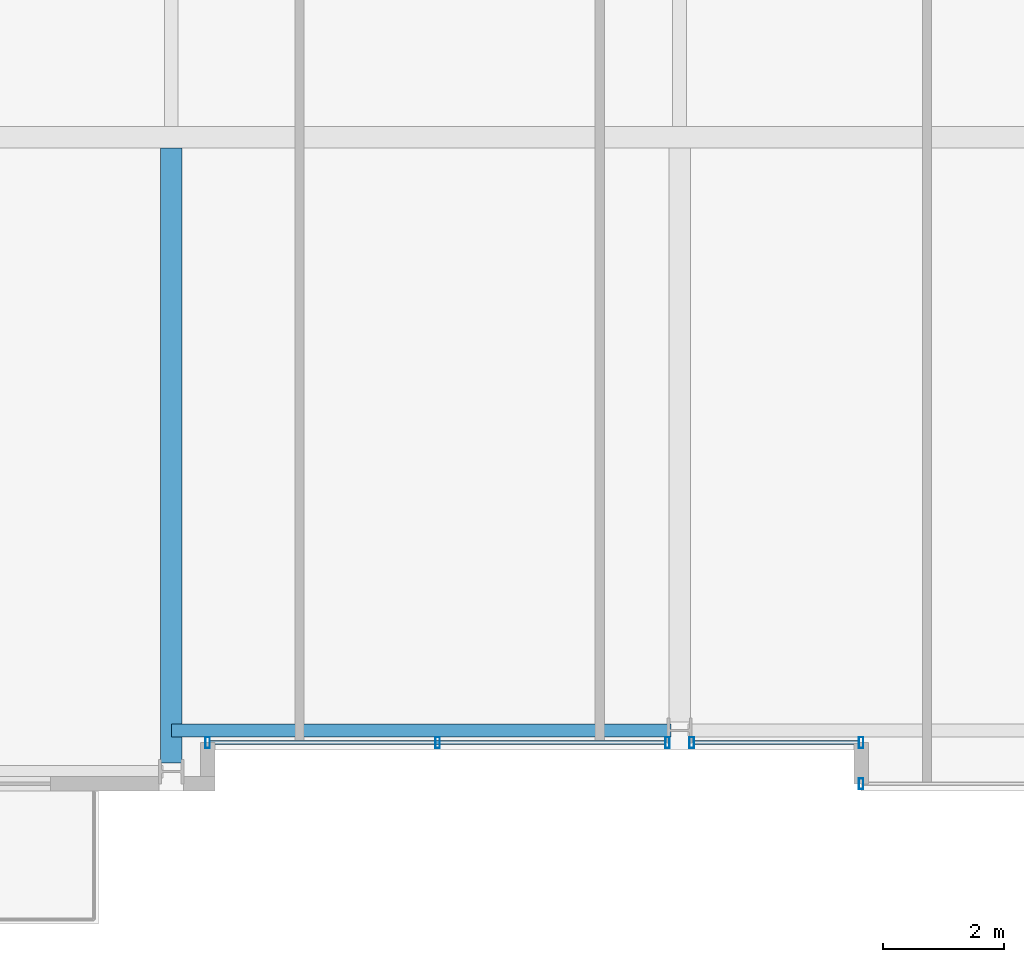
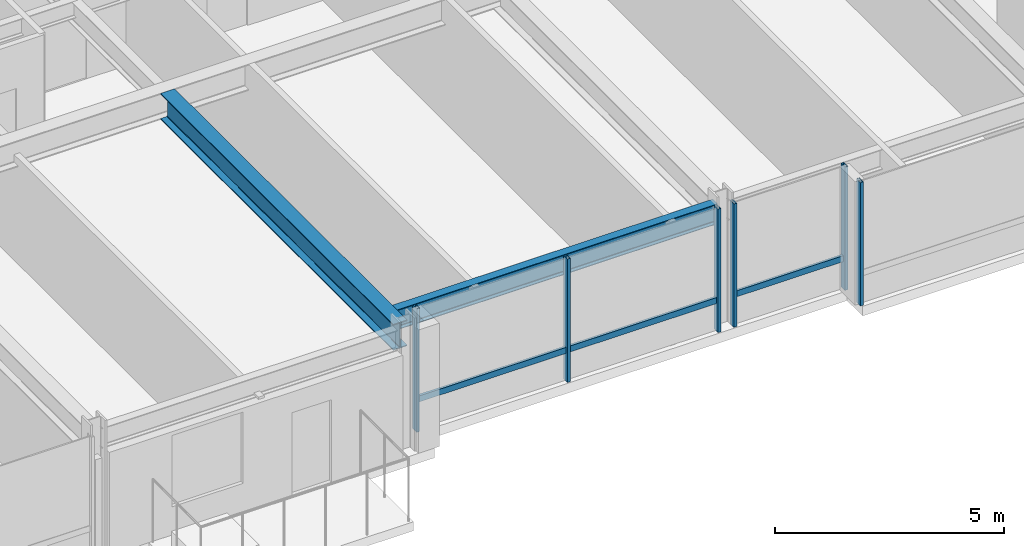
# One storey, part 5 of 32: 8 members, 2 beams, 3 elements without a shape of their own.
"""IFC4 building model written with IfcOpenShell, lengths in metres."""

from ifc_helpers import new_model, si_unit, direction, frame, origin, origin_2d, place, context, subcontext, project, spatial, hollow_rectangle, i_section, extrude, material, layer, layer_set, material_profile, profile_set, type_object, element, aggregate, save


model = new_model("IFC4")

# Units and contexts
model_context = context("Model", 3, precision=1e-05, world=origin(), true_north=direction((0.0, 1.0)))
body_context = subcontext(model_context, "Body", "Model", "MODEL_VIEW")
ifc_project = project(units=[si_unit("LENGTHUNIT", "METRE"), si_unit("AREAUNIT", "SQUARE_METRE"), si_unit("VOLUMEUNIT", "CUBIC_METRE"), si_unit("PLANEANGLEUNIT", "RADIAN"), si_unit("MASSUNIT", "GRAM", prefix="KILO")], contexts=[model_context])

# Site, building, storey
site_placement = place(None, origin())
site = spatial("IfcSite", under=ifc_project, at=site_placement, CompositionType="ELEMENT")
building_placement = place(site_placement, origin())
building = spatial("IfcBuilding", under=site, at=building_placement, Name="Drelvath Grand Hotel", CompositionType="ELEMENT")
storey_placement = place(building_placement, frame((0.0, 0.0, 157.5)))
storey = spatial("IfcBuildingStorey", under=building, at=storey_placement, Name="L40", CompositionType="ELEMENT", Elevation=157.5)

# Curtain wall, member
ifc_material_1 = material(Name="Brushed Pale-Silver Anodised Aluminium Frame", Category="aluminium")
ifc_layer = layer(ifc_material_1, 0.199951171875)
ifc_layer_set = layer_set([ifc_layer], Name="Brushed Pale-Silver Anodised Aluminium Frame")
curtain_wall_type = type_object("IfcCurtainWallType", Name="Stick Curtain Wall CW-04 Brushed Silver Upper-Mid", PredefinedType="NOTDEFINED", material=ifc_layer_set)
curtain_wall_1_placement = place(storey_placement, origin())
curtain_wall_1 = element("IfcCurtainWall", 1, at=curtain_wall_1_placement, inside=storey, type_object=curtain_wall_type, Name="L40 CW-04 Curtain Wall CW04-L40-SM1", PredefinedType="NOTDEFINED")
ifc_material_profile_1 = material_profile(ifc_material_1, hollow_rectangle(XDim=0.06494140625, YDim=0.159912109375, WallThickness=0.00390625, at=origin_2d()), Name="HSS160X65X4")
ifc_profile_set_1 = profile_set([ifc_material_profile_1], Name="Brushed Pale-Silver Anodised Aluminium Frame")
member_type_1 = type_object("IfcMemberType", Name="Curtain Wall Horizontal Transom CW-04 HSS160X65X4", PredefinedType="USERDEFINED", material=ifc_profile_set_1)
member_1_placement = place(storey_placement, frame((-0.239990234375, 0.800048828125, 0.822509765625), z_axis=(-1.0, 0.0, 0.0), x_axis=(0.0, -1.0, 0.0)))
member_1 = element("IfcMember", 2, at=member_1_placement, type_object=member_type_1, Name="CW04-L40-SM1 Sill Transom", ObjectType="TRANSOM", PredefinedType="USERDEFINED", context=body_context, shape_type="SweptSolid", body=[
    extrude(hollow_rectangle(XDim=0.06494140625, YDim=0.159912109375, WallThickness=0.00390625, at=origin_2d()), origin(), (0.0, 0.0, 1.0), 7.52001953125),
])

curtain_wall_2_placement = place(storey_placement, origin())
curtain_wall_2 = element("IfcCurtainWall", 3, at=curtain_wall_2_placement, inside=storey, type_object=curtain_wall_type, Name="L40 CW-04 Curtain Wall CW04-L40-SM2", PredefinedType="NOTDEFINED")
member_2_placement = place(storey_placement, frame((2.9599609375, 0.800048828125, 0.822509765625), z_axis=(-1.0, 0.0, 0.0), x_axis=(0.0, -1.0, 0.0)))
member_2 = element("IfcMember", 4, at=member_2_placement, type_object=member_type_1, Name="CW04-L40-SM2 Sill Transom", ObjectType="TRANSOM", PredefinedType="USERDEFINED", context=body_context, shape_type="SweptSolid", body=[
    extrude(hollow_rectangle(XDim=0.06494140625, YDim=0.159912109375, WallThickness=0.00390625, at=origin_2d()), origin(), (0.0, 0.0, 1.0), 2.719970703125),
])

curtain_wall_3_placement = place(storey_placement, origin())
curtain_wall_3 = element("IfcCurtainWall", 5, at=curtain_wall_3_placement, inside=storey, type_object=curtain_wall_type, Name="L40 CW-04 Curtain Wall CW04-L40-SE1", PredefinedType="NOTDEFINED")
ifc_material_profile_2 = material_profile(ifc_material_1, hollow_rectangle(XDim=0.074951171875, YDim=0.179931640625, WallThickness=0.0048828125, at=origin_2d()), Name="HSS180X75X5")
ifc_profile_set_2 = profile_set([ifc_material_profile_2], Name="Brushed Pale-Silver Anodised Aluminium Frame")
member_type_2 = type_object("IfcMemberType", Name="Curtain Wall Vertical Mullion CW-04 HSS180X75X5", PredefinedType="MULLION", material=ifc_profile_set_2)
member_3_placement = place(storey_placement, frame((3.0, 0.1201171875, 0.0), z_axis=(0.0, 0.0, 1.0), x_axis=(1.0, 0.0, 0.0)))
member_3 = element("IfcMember", 6, at=member_3_placement, type_object=member_type_2, Name="CW04-L40-SE1 Mullion 2", PredefinedType="MULLION", context=body_context, shape_type="SweptSolid", body=[
    extrude(hollow_rectangle(XDim=0.074951171875, YDim=0.179931640625, WallThickness=0.0048828125, at=origin_2d()), origin(), (0.0, 0.0, 1.0), 3.2900390625),
])
aggregate(curtain_wall_3, [member_3])

# Member
member_4_placement = place(storey_placement, frame((-0.2001953125, 0.800048828125, 0.0), z_axis=(0.0, 0.0, 1.0), x_axis=(1.0, 0.0, 0.0)))
member_4 = element("IfcMember", 7, at=member_4_placement, type_object=member_type_2, Name="CW04-L40-SM1 Mullion 1", PredefinedType="MULLION", context=body_context, shape_type="SweptSolid", body=[
    extrude(hollow_rectangle(XDim=0.074951171875, YDim=0.179931640625, WallThickness=0.0048828125, at=origin_2d()), origin(), (0.0, 0.0, 1.0), 3.2900390625),
])

member_5_placement = place(storey_placement, frame((-4.0, 0.800048828125, 0.0), z_axis=(0.0, 0.0, 1.0), x_axis=(1.0, 0.0, 0.0)))
member_5 = element("IfcMember", 8, at=member_5_placement, type_object=member_type_2, Name="CW04-L40-SM1 Mullion 2", PredefinedType="MULLION", context=body_context, shape_type="SweptSolid", body=[
    extrude(hollow_rectangle(XDim=0.074951171875, YDim=0.179931640625, WallThickness=0.0048828125, at=origin_2d()), origin(), (0.0, 0.0, 1.0), 3.2900390625),
])

member_6_placement = place(storey_placement, frame((-7.800048828125, 0.800048828125, 0.0), z_axis=(0.0, 0.0, 1.0), x_axis=(1.0, 0.0, 0.0)))
member_6 = element("IfcMember", 9, at=member_6_placement, type_object=member_type_2, Name="CW04-L40-SM1 Mullion 3", PredefinedType="MULLION", context=body_context, shape_type="SweptSolid", body=[
    extrude(hollow_rectangle(XDim=0.074951171875, YDim=0.179931640625, WallThickness=0.0048828125, at=origin_2d()), origin(), (0.0, 0.0, 1.0), 3.2900390625),
])

aggregate(curtain_wall_1, [member_4, member_5, member_6, member_1])

member_7_placement = place(storey_placement, frame((3.0, 0.800048828125, 0.0), z_axis=(0.0, 0.0, 1.0), x_axis=(1.0, 0.0, 0.0)))
member_7 = element("IfcMember", 10, at=member_7_placement, type_object=member_type_2, Name="CW04-L40-SM2 Mullion 1", PredefinedType="MULLION", context=body_context, shape_type="SweptSolid", body=[
    extrude(hollow_rectangle(XDim=0.074951171875, YDim=0.179931640625, WallThickness=0.0048828125, at=origin_2d()), origin(), (0.0, 0.0, 1.0), 3.2900390625),
])

member_8_placement = place(storey_placement, frame((0.2001953125, 0.800048828125, 0.0), z_axis=(0.0, 0.0, 1.0), x_axis=(1.0, 0.0, 0.0)))
member_8 = element("IfcMember", 11, at=member_8_placement, type_object=member_type_2, Name="CW04-L40-SM2 Mullion 2", PredefinedType="MULLION", context=body_context, shape_type="SweptSolid", body=[
    extrude(hollow_rectangle(XDim=0.074951171875, YDim=0.179931640625, WallThickness=0.0048828125, at=origin_2d()), origin(), (0.0, 0.0, 1.0), 3.2900390625),
])

aggregate(curtain_wall_2, [member_7, member_8, member_2])

# Beams
ifc_material_2 = material(Name="Steel ASTM A992 Gr 50", Category="steel")
ifc_material_profile_3 = material_profile(ifc_material_2, i_section(OverallWidth=0.210205078125, OverallDepth=0.53662109375, WebThickness=0.010986328125, FlangeThickness=0.017333984375, FilletRadius=0.01806640625, at=origin_2d()), Name="W21X68")
ifc_profile_set_3 = profile_set([ifc_material_profile_3], Name="Steel ASTM A992 Gr 50")
beam_type_1 = type_object("IfcBeamType", Name="Perimeter Spandrel Beam W21X68", PredefinedType="SPANDREL", material=ifc_profile_set_3)
beam_1_placement = place(storey_placement, frame((-8.39990234375, 1.0, 3.021484375), z_axis=(1.0, 0.0, 0.0), x_axis=(0.0, 1.0, 0.0)))
element("IfcBeam", 12, at=beam_1_placement, inside=storey, type_object=beam_type_1, Name="L40 Spandrel South Mid W", PredefinedType="SPANDREL", context=body_context, shape_type="SweptSolid", body=[
    extrude(i_section(OverallWidth=0.210205078125, OverallDepth=0.53662109375, WebThickness=0.010986328125, FlangeThickness=0.017333984375, FilletRadius=0.01806640625, at=origin_2d()), origin(), (0.0, 0.0, 1.0), 8.260009765625),
])
ifc_material_profile_4 = material_profile(ifc_material_2, i_section(OverallWidth=0.354736328125, OverallDepth=0.695556640625, WebThickness=0.015380859375, FlangeThickness=0.025146484375, FilletRadius=0.02392578125, at=origin_2d()), Name="W27X146")
ifc_profile_set_4 = profile_set([ifc_material_profile_4], Name="Steel ASTM A992 Gr 50")
beam_type_2 = type_object("IfcBeamType", Name="Primary Floor Girder W27X146", PredefinedType="BEAM", material=ifc_profile_set_4)
beam_2_placement = place(storey_placement, frame((-8.39990234375, 0.4599609375, 2.9423828125), z_axis=(0.0, 1.0, 0.0), x_axis=(-1.0, 0.0, 0.0)))
element("IfcBeam", 13, at=beam_2_placement, inside=storey, type_object=beam_type_2, Name="L40 South Wing Girder 4", PredefinedType="BEAM", context=body_context, shape_type="SweptSolid", body=[
    extrude(i_section(OverallWidth=0.354736328125, OverallDepth=0.695556640625, WebThickness=0.015380859375, FlangeThickness=0.025146484375, FilletRadius=0.02392578125, at=origin_2d()), origin(), (0.0, 0.0, 1.0), 10.16259765625),
])

save(model, "model.ifc")
